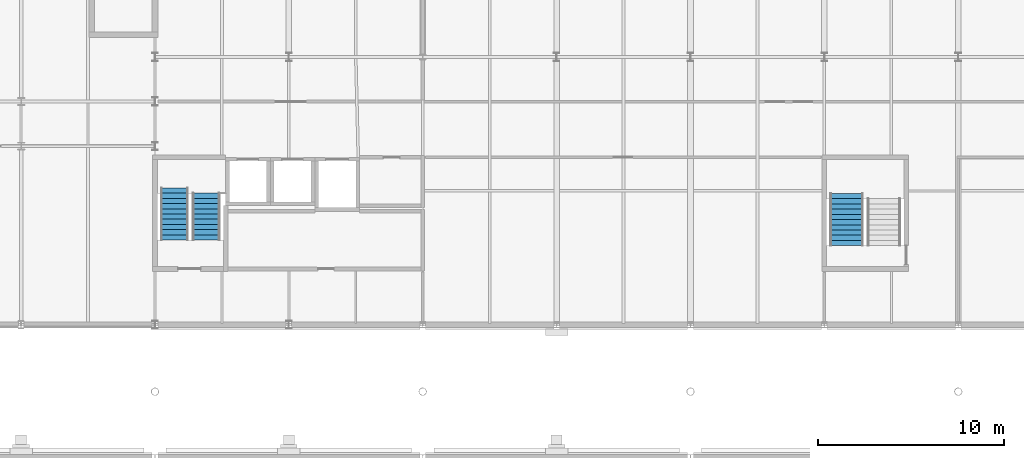
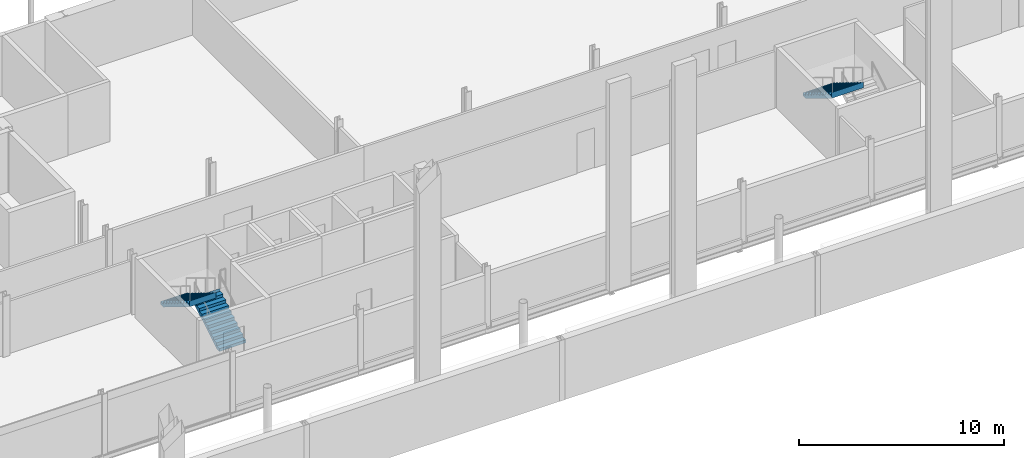
# One storey, part 74 of 90: 3 stair flights, 2 elements without a shape of their own.
"""IFC4 building model written with IfcOpenShell, lengths in metres."""

from ifc_helpers import new_model, si_unit, direction, frame, origin, place, context, subcontext, project, spatial, polyline, outline, extrude, material, type_object, element, aggregate, save


model = new_model("IFC4")

# Units and contexts
model_context = context("Model", 3, precision=1e-05, world=origin(), true_north=direction((0.0, 1.0)))
body_context = subcontext(model_context, "Body", "Model", "MODEL_VIEW")
ifc_project = project(units=[si_unit("LENGTHUNIT", "METRE"), si_unit("AREAUNIT", "SQUARE_METRE"), si_unit("VOLUMEUNIT", "CUBIC_METRE"), si_unit("PLANEANGLEUNIT", "RADIAN"), si_unit("MASSUNIT", "GRAM", prefix="KILO")], contexts=[model_context])

# Site, building, storey
site_placement = place(None, origin())
site = spatial("IfcSite", under=ifc_project, at=site_placement, CompositionType="ELEMENT")
building_placement = place(site_placement, origin())
building = spatial("IfcBuilding", under=site, at=building_placement, Name="Kupolbacken Congress Centre", CompositionType="ELEMENT")
storey_placement = place(building_placement, frame((0.0, 0.0, 3.60009765625)))
storey = spatial("IfcBuildingStorey", under=building, at=storey_placement, Name="L01", CompositionType="ELEMENT", Elevation=3.60009765625)

# Stair, stair flights
ifc_material_1 = material(Name="Steel S355", Category="steel")
stair_type_1 = type_object("IfcStairType", Name="ST2 stair 1500", PredefinedType="TWO_STRAIGHT_RUN_STAIR", material=ifc_material_1)
stair_1_placement = place(storey_placement, origin())
stair_1 = element("IfcStair", 1, at=stair_1_placement, inside=storey, type_object=stair_type_1, Name="C/stair/BS1/L01", PredefinedType="NOTDEFINED")
ifc_material_2 = material(Name="Steel S355", Category="steel")
stair_flight_type_1 = type_object("IfcStairFlightType", Name="FL3 stair flight 1500 x 10 risers", PredefinedType="STRAIGHT", material=ifc_material_2)
stair_flight_1_placement = place(storey_placement, frame((139.550048828125, 126.955078125, 0.0), z_axis=(0.0, 0.0, 1.0), x_axis=(0.0, 1.0, 0.0)))
stair_flight_1 = element("IfcStairFlight", 2, at=stair_flight_1_placement, type_object=stair_flight_type_1, Name="BS1 flight 1", NumberOfRisers=10, NumberOfTreads=9, PredefinedType="STRAIGHT", RiserHeight=0.171428571, TreadLength=0.28, context=body_context, shape_type="SweptSolid", body=[
    extrude(outline(polyline([(0.0, 0.0), (0.0, 0.0009765625), (0.0, 0.002197265625), (0.0, 0.003173828125), (0.0, 0.004150390625), (0.0, 0.00537109375), (0.0, 0.00634765625), (0.0, 0.007568359375), (0.0, 0.008544921875), (0.0, 0.009521484375), (0.0, 0.0107421875), (0.0, 0.01171875), (0.0, 0.0126953125), (0.0, 0.013916015625), (0.0, 0.014892578125), (0.0, 0.015869140625), (0.0, 0.01708984375), (0.0, 0.01806640625), (0.0, 0.019287109375), (0.0, 0.020263671875), (0.0, 0.021240234375), (0.0, 0.0224609375), (0.0, 0.0234375), (0.0, 0.0244140625), (0.0, 0.025634765625), (0.0, 0.026611328125), (0.0, 0.027587890625), (0.0, 0.02880859375), (0.0, 0.02978515625), (0.0, 0.03076171875), (0.0, 0.031982421875), (0.0, 0.032958984375), (0.0, 0.0341796875), (0.0, 0.03515625), (0.0, 0.0361328125), (0.0, 0.037353515625), (0.0, 0.038330078125), (0.0, 0.039306640625), (0.0, 0.04052734375), (0.0, 0.04150390625), (0.0, 0.04248046875), (0.0, 0.043701171875), (0.0, 0.044677734375), (0.0, 0.0458984375), (0.0, 0.046875), (0.0, 0.0478515625), (0.0, 0.049072265625), (0.0, 0.050048828125), (0.0, 0.051025390625), (0.0, 0.05224609375), (0.0, 0.05322265625), (0.0, 0.05419921875), (0.0, 0.055419921875), (0.0, 0.056396484375), (0.0, 0.0576171875), (0.0, 0.05859375), (0.0, 0.0595703125), (0.0, 0.060791015625), (0.0, 0.061767578125), (0.0, 0.062744140625), (0.0, 0.06396484375), (0.0, 0.06494140625), (0.0, 0.06591796875), (0.0, 0.067138671875), (0.0, 0.068115234375), (0.0, 0.069091796875), (0.0, 0.0703125), (0.0, 0.0712890625), (0.0, 0.072509765625), (0.0, 0.073486328125), (0.0, 0.074462890625), (0.0, 0.07568359375), (0.0, 0.07666015625), (0.0, 0.07763671875), (0.0, 0.078857421875), (0.0, 0.079833984375), (0.0, 0.080810546875), (0.0, 0.08203125), (0.0, 0.0830078125), (0.0, 0.084228515625), (0.0, 0.085205078125), (0.0, 0.086181640625), (0.0, 0.08740234375), (0.0, 0.08837890625), (0.0, 0.08935546875), (0.0, 0.090576171875), (0.0, 0.091552734375), (0.0, 0.092529296875), (0.0, 0.09375), (0.0, 0.0947265625), (0.0, 0.095947265625), (0.0, 0.096923828125), (0.0, 0.097900390625), (0.0, 0.09912109375), (0.0, 0.10009765625), (0.0, 0.10107421875), (0.0, 0.102294921875), (0.0, 0.103271484375), (0.0, 0.104248046875), (0.0, 0.10546875), (0.0, 0.1064453125), (0.0, 0.107421875), (0.0, 0.108642578125), (0.0, 0.109619140625), (0.0, 0.11083984375), (0.0, 0.11181640625), (0.0, 0.11279296875), (0.0, 0.114013671875), (0.0, 0.114990234375), (0.0, 0.115966796875), (0.0, 0.1171875), (0.0, 0.1181640625), (0.0, 0.119140625), (0.0, 0.120361328125), (0.0, 0.121337890625), (0.0, 0.12255859375), (0.0, 0.12353515625), (0.0, 0.12451171875), (0.0, 0.125732421875), (0.0, 0.126708984375), (0.0, 0.127685546875), (0.0, 0.12890625), (0.0, 0.1298828125), (0.0, 0.130859375), (0.0, 0.132080078125), (0.0, 0.133056640625), (0.0, 0.13427734375), (0.0, 0.13525390625), (0.0, 0.13623046875), (0.0, 0.137451171875), (0.0, 0.138427734375), (0.0, 0.139404296875), (0.0, 0.140625), (0.0, 0.1416015625), (0.0, 0.142578125), (0.0, 0.143798828125), (0.0, 0.144775390625), (0.0, 0.145751953125), (0.0, 0.14697265625), (0.0, 0.14794921875), (0.0, 0.149169921875), (0.0, 0.150146484375), (0.0, 0.151123046875), (0.0, 0.15234375), (0.0, 0.1533203125), (0.0, 0.154296875), (0.0, 0.155517578125), (0.0, 0.156494140625), (0.0, 0.157470703125), (0.0, 0.15869140625), (0.0, 0.15966796875), (0.0, 0.160888671875), (0.0, 0.161865234375), (0.0, 0.162841796875), (0.0, 0.1640625), (0.0, 0.1650390625), (0.0, 0.166015625), (0.0, 0.167236328125), (0.0, 0.168212890625), (0.0, 0.169189453125), (0.0, 0.17041015625), (0.0, 0.17138671875), (0.280029296875, 0.17138671875), (0.280029296875, 0.3427734375), (0.56005859375, 0.3427734375), (0.56005859375, 0.514404296875), (0.840087890625, 0.514404296875), (0.840087890625, 0.685791015625), (1.1201171875, 0.685791015625), (1.1201171875, 0.857177734375), (1.39990234375, 0.857177734375), (1.39990234375, 1.028564453125), (1.679931640625, 1.028564453125), (1.679931640625, 1.199951171875), (1.9599609375, 1.199951171875), (1.9599609375, 1.371337890625), (2.239990234375, 1.371337890625), (2.239990234375, 1.54296875), (2.52001953125, 1.54296875), (2.52001953125, 1.71435546875), (2.52197265625, 1.71435546875), (2.52197265625, 1.712158203125), (2.52197265625, 1.7099609375), (2.52197265625, 1.707763671875), (2.52197265625, 1.70556640625), (2.52197265625, 1.70361328125), (2.52197265625, 1.701416015625), (2.52197265625, 1.69921875), (2.52197265625, 1.697021484375), (2.52197265625, 1.69482421875), (2.52197265625, 1.692626953125), (2.52197265625, 1.690673828125), (2.52197265625, 1.6884765625), (2.52197265625, 1.686279296875), (2.52197265625, 1.68408203125), (2.52197265625, 1.681884765625), (2.52197265625, 1.6796875), (2.52197265625, 1.677734375), (2.52197265625, 1.675537109375), (2.52197265625, 1.67333984375), (2.52197265625, 1.671142578125), (2.52197265625, 1.6689453125), (2.52197265625, 1.666748046875), (2.52197265625, 1.664794921875), (2.52197265625, 1.66259765625), (2.52197265625, 1.660400390625), (2.52197265625, 1.658203125), (2.52197265625, 1.656005859375), (2.52197265625, 1.65380859375), (2.52197265625, 1.65185546875), (2.52197265625, 1.649658203125), (2.52197265625, 1.6474609375), (2.52197265625, 1.645263671875), (2.52197265625, 1.64306640625), (2.52197265625, 1.640869140625), (2.52197265625, 1.638916015625), (2.52197265625, 1.63671875), (2.52197265625, 1.634521484375), (2.52197265625, 1.63232421875), (2.52197265625, 1.630126953125), (2.52197265625, 1.6279296875), (2.52197265625, 1.6259765625), (2.52197265625, 1.623779296875), (2.52197265625, 1.62158203125), (2.52197265625, 1.619384765625), (2.52197265625, 1.6171875), (2.52197265625, 1.614990234375), (2.52197265625, 1.613037109375), (2.52197265625, 1.61083984375), (2.52197265625, 1.608642578125), (2.52197265625, 1.6064453125), (2.52197265625, 1.604248046875), (2.52197265625, 1.60205078125), (2.52197265625, 1.60009765625), (2.52197265625, 1.597900390625), (2.52197265625, 1.595703125), (2.52197265625, 1.593505859375), (2.52197265625, 1.59130859375), (2.52197265625, 1.589111328125), (2.52197265625, 1.587158203125), (2.52197265625, 1.5849609375), (2.52197265625, 1.582763671875), (2.52197265625, 1.58056640625), (2.52197265625, 1.578369140625), (2.52197265625, 1.576171875), (2.52197265625, 1.57421875), (2.52197265625, 1.572021484375), (2.52197265625, 1.56982421875), (2.52197265625, 1.567626953125), (2.52197265625, 1.5654296875), (2.52197265625, 1.563232421875), (2.52197265625, 1.561279296875), (2.52197265625, 1.55908203125), (2.52197265625, 1.556884765625), (2.52197265625, 1.5546875), (2.52197265625, 1.552490234375), (2.52197265625, 1.55029296875), (2.52197265625, 1.54833984375), (2.52197265625, 1.546142578125), (2.52197265625, 1.5439453125), (2.52197265625, 1.541748046875), (2.52197265625, 1.53955078125), (2.52197265625, 1.537353515625), (2.52197265625, 1.535400390625), (2.52197265625, 1.533203125), (2.52197265625, 1.531005859375), (2.52197265625, 1.52880859375), (2.52197265625, 1.526611328125), (2.52197265625, 1.5244140625), (2.52197265625, 1.5224609375), (2.52197265625, 1.520263671875), (2.52197265625, 1.51806640625), (2.52197265625, 1.515869140625), (2.52197265625, 1.513671875), (2.52197265625, 1.511474609375), (2.52197265625, 1.509521484375), (2.52197265625, 1.50732421875), (2.52197265625, 1.505126953125), (2.52197265625, 1.5029296875), (2.52197265625, 1.500732421875), (2.52197265625, 1.49853515625), (2.52197265625, 1.49658203125), (2.52197265625, 1.494384765625), (2.52197265625, 1.4921875), (2.52197265625, 1.489990234375), (2.52197265625, 1.48779296875), (2.52197265625, 1.485595703125), (2.52197265625, 1.483642578125), (2.52197265625, 1.4814453125), (2.52197265625, 1.479248046875), (2.52197265625, 1.47705078125), (2.52197265625, 1.474853515625), (2.52197265625, 1.47265625), (2.52197265625, 1.470703125), (2.52197265625, 1.468505859375), (2.52197265625, 1.46630859375), (2.52197265625, 1.464111328125), (2.52197265625, 1.4619140625), (2.52197265625, 1.459716796875), (2.52197265625, 1.457763671875), (2.52197265625, 1.45556640625), (2.52197265625, 1.453369140625), (2.52197265625, 1.451171875), (2.52197265625, 1.448974609375), (2.52197265625, 1.44677734375), (2.52197265625, 1.44482421875), (2.52197265625, 1.442626953125), (2.52197265625, 1.4404296875), (2.52197265625, 1.438232421875), (2.52197265625, 1.43603515625), (2.52197265625, 1.433837890625), (2.52197265625, 1.431884765625), (2.52197265625, 1.4296875), (2.52197265625, 1.427490234375), (2.52197265625, 1.42529296875), (2.52197265625, 1.423095703125), (2.52197265625, 1.4208984375), (2.52197265625, 1.4189453125), (2.52197265625, 1.416748046875), (2.52197265625, 1.41455078125), (2.52197265625, 1.412353515625), (2.52197265625, 1.41015625), (2.52197265625, 1.407958984375), (2.52197265625, 1.406005859375), (2.52197265625, 1.40380859375), (2.52197265625, 1.401611328125), (2.52197265625, 1.3994140625), (2.52197265625, 1.397216796875), (2.52197265625, 1.39501953125), (2.52197265625, 1.39306640625), (2.52197265625, 1.390869140625), (2.52197265625, 1.388671875), (2.52197265625, 1.386474609375), (2.52197265625, 1.38427734375), (2.52197265625, 1.382080078125), (2.52197265625, 1.380126953125), (2.52197265625, 1.3779296875), (2.52197265625, 1.375732421875), (2.52197265625, 1.37353515625), (2.52197265625, 1.371337890625), (2.52197265625, 1.369140625), (2.52197265625, 1.3671875), (0.2890625, 0.0), (0.0, 0.0)])), frame((0.0, 0.75, 0.0), z_axis=(0.0, -1.0, 0.0), x_axis=(1.0, 0.0, 0.0)), (0.0, 0.0, 1.0), 1.5),
])
ifc_material_3 = material(Name="Steel S355", Category="steel")
stair_flight_type_2 = type_object("IfcStairFlightType", Name="FL4 stair flight 1500 x 11 risers", PredefinedType="STRAIGHT", material=ifc_material_3)
stair_flight_2_placement = place(storey_placement, frame((137.85009765625, 129.7548828125, 1.714111328125), z_axis=(0.0, 0.0, 1.0), x_axis=(0.0, -1.0, 0.0)))
stair_flight_2 = element("IfcStairFlight", 3, at=stair_flight_2_placement, type_object=stair_flight_type_2, Name="BS1 flight 2", NumberOfRisers=11, NumberOfTreads=10, PredefinedType="STRAIGHT", RiserHeight=0.171428571, TreadLength=0.28, context=body_context, shape_type="SweptSolid", body=[
    extrude(outline(polyline([(0.0, 0.0), (0.0, 0.0009765625), (0.0, 0.002197265625), (0.0, 0.003173828125), (0.0, 0.004150390625), (0.0, 0.00537109375), (0.0, 0.00634765625), (0.0, 0.007568359375), (0.0, 0.008544921875), (0.0, 0.009521484375), (0.0, 0.0107421875), (0.0, 0.01171875), (0.0, 0.0126953125), (0.0, 0.013916015625), (0.0, 0.014892578125), (0.0, 0.015869140625), (0.0, 0.01708984375), (0.0, 0.01806640625), (0.0, 0.019287109375), (0.0, 0.020263671875), (0.0, 0.021240234375), (0.0, 0.0224609375), (0.0, 0.0234375), (0.0, 0.0244140625), (0.0, 0.025634765625), (0.0, 0.026611328125), (0.0, 0.027587890625), (0.0, 0.02880859375), (0.0, 0.02978515625), (0.0, 0.03076171875), (0.0, 0.031982421875), (0.0, 0.032958984375), (0.0, 0.0341796875), (0.0, 0.03515625), (0.0, 0.0361328125), (0.0, 0.037353515625), (0.0, 0.038330078125), (0.0, 0.039306640625), (0.0, 0.04052734375), (0.0, 0.04150390625), (0.0, 0.04248046875), (0.0, 0.043701171875), (0.0, 0.044677734375), (0.0, 0.0458984375), (0.0, 0.046875), (0.0, 0.0478515625), (0.0, 0.049072265625), (0.0, 0.050048828125), (0.0, 0.051025390625), (0.0, 0.05224609375), (0.0, 0.05322265625), (0.0, 0.05419921875), (0.0, 0.055419921875), (0.0, 0.056396484375), (0.0, 0.0576171875), (0.0, 0.05859375), (0.0, 0.0595703125), (0.0, 0.060791015625), (0.0, 0.061767578125), (0.0, 0.062744140625), (0.0, 0.06396484375), (0.0, 0.06494140625), (0.0, 0.06591796875), (0.0, 0.067138671875), (0.0, 0.068115234375), (0.0, 0.069091796875), (0.0, 0.0703125), (0.0, 0.0712890625), (0.0, 0.072509765625), (0.0, 0.073486328125), (0.0, 0.074462890625), (0.0, 0.07568359375), (0.0, 0.07666015625), (0.0, 0.07763671875), (0.0, 0.078857421875), (0.0, 0.079833984375), (0.0, 0.080810546875), (0.0, 0.08203125), (0.0, 0.0830078125), (0.0, 0.084228515625), (0.0, 0.085205078125), (0.0, 0.086181640625), (0.0, 0.08740234375), (0.0, 0.08837890625), (0.0, 0.08935546875), (0.0, 0.090576171875), (0.0, 0.091552734375), (0.0, 0.092529296875), (0.0, 0.09375), (0.0, 0.0947265625), (0.0, 0.095947265625), (0.0, 0.096923828125), (0.0, 0.097900390625), (0.0, 0.09912109375), (0.0, 0.10009765625), (0.0, 0.10107421875), (0.0, 0.102294921875), (0.0, 0.103271484375), (0.0, 0.104248046875), (0.0, 0.10546875), (0.0, 0.1064453125), (0.0, 0.107421875), (0.0, 0.108642578125), (0.0, 0.109619140625), (0.0, 0.11083984375), (0.0, 0.11181640625), (0.0, 0.11279296875), (0.0, 0.114013671875), (0.0, 0.114990234375), (0.0, 0.115966796875), (0.0, 0.1171875), (0.0, 0.1181640625), (0.0, 0.119140625), (0.0, 0.120361328125), (0.0, 0.121337890625), (0.0, 0.12255859375), (0.0, 0.12353515625), (0.0, 0.12451171875), (0.0, 0.125732421875), (0.0, 0.126708984375), (0.0, 0.127685546875), (0.0, 0.12890625), (0.0, 0.1298828125), (0.0, 0.130859375), (0.0, 0.132080078125), (0.0, 0.133056640625), (0.0, 0.13427734375), (0.0, 0.13525390625), (0.0, 0.13623046875), (0.0, 0.137451171875), (0.0, 0.138427734375), (0.0, 0.139404296875), (0.0, 0.140625), (0.0, 0.1416015625), (0.0, 0.142578125), (0.0, 0.143798828125), (0.0, 0.144775390625), (0.0, 0.145751953125), (0.0, 0.14697265625), (0.0, 0.14794921875), (0.0, 0.149169921875), (0.0, 0.150146484375), (0.0, 0.151123046875), (0.0, 0.15234375), (0.0, 0.1533203125), (0.0, 0.154296875), (0.0, 0.155517578125), (0.0, 0.156494140625), (0.0, 0.157470703125), (0.0, 0.15869140625), (0.0, 0.15966796875), (0.0, 0.160888671875), (0.0, 0.161865234375), (0.0, 0.162841796875), (0.0, 0.1640625), (0.0, 0.1650390625), (0.0, 0.166015625), (0.0, 0.167236328125), (0.0, 0.168212890625), (0.0, 0.169189453125), (0.0, 0.17041015625), (0.0, 0.17138671875), (0.280029296875, 0.17138671875), (0.280029296875, 0.3427734375), (0.56005859375, 0.3427734375), (0.56005859375, 0.514404296875), (0.840087890625, 0.514404296875), (0.840087890625, 0.685791015625), (1.1201171875, 0.685791015625), (1.1201171875, 0.857177734375), (1.39990234375, 0.857177734375), (1.39990234375, 1.028564453125), (1.679931640625, 1.028564453125), (1.679931640625, 1.199951171875), (1.9599609375, 1.199951171875), (1.9599609375, 1.371337890625), (2.239990234375, 1.371337890625), (2.239990234375, 1.54296875), (2.52001953125, 1.54296875), (2.52001953125, 1.71435546875), (2.800048828125, 1.71435546875), (2.800048828125, 1.8857421875), (2.802001953125, 1.8857421875), (2.802001953125, 1.883544921875), (2.802001953125, 1.88134765625), (2.802001953125, 1.879150390625), (2.802001953125, 1.877197265625), (2.802001953125, 1.875), (2.802001953125, 1.872802734375), (2.802001953125, 1.87060546875), (2.802001953125, 1.868408203125), (2.802001953125, 1.8662109375), (2.802001953125, 1.8642578125), (2.802001953125, 1.862060546875), (2.802001953125, 1.85986328125), (2.802001953125, 1.857666015625), (2.802001953125, 1.85546875), (2.802001953125, 1.853271484375), (2.802001953125, 1.851318359375), (2.802001953125, 1.84912109375), (2.802001953125, 1.846923828125), (2.802001953125, 1.8447265625), (2.802001953125, 1.842529296875), (2.802001953125, 1.84033203125), (2.802001953125, 1.83837890625), (2.802001953125, 1.836181640625), (2.802001953125, 1.833984375), (2.802001953125, 1.831787109375), (2.802001953125, 1.82958984375), (2.802001953125, 1.827392578125), (2.802001953125, 1.825439453125), (2.802001953125, 1.8232421875), (2.802001953125, 1.821044921875), (2.802001953125, 1.81884765625), (2.802001953125, 1.816650390625), (2.802001953125, 1.814453125), (2.802001953125, 1.8125), (2.802001953125, 1.810302734375), (2.802001953125, 1.80810546875), (2.802001953125, 1.805908203125), (2.802001953125, 1.8037109375), (2.802001953125, 1.801513671875), (2.802001953125, 1.799560546875), (2.802001953125, 1.79736328125), (2.802001953125, 1.795166015625), (2.802001953125, 1.79296875), (2.802001953125, 1.790771484375), (2.802001953125, 1.78857421875), (2.802001953125, 1.78662109375), (2.802001953125, 1.784423828125), (2.802001953125, 1.7822265625), (2.802001953125, 1.780029296875), (2.802001953125, 1.77783203125), (2.802001953125, 1.775634765625), (2.802001953125, 1.773681640625), (2.802001953125, 1.771484375), (2.802001953125, 1.769287109375), (2.802001953125, 1.76708984375), (2.802001953125, 1.764892578125), (2.802001953125, 1.7626953125), (2.802001953125, 1.7607421875), (2.802001953125, 1.758544921875), (2.802001953125, 1.75634765625), (2.802001953125, 1.754150390625), (2.802001953125, 1.751953125), (2.802001953125, 1.749755859375), (2.802001953125, 1.747802734375), (2.802001953125, 1.74560546875), (2.802001953125, 1.743408203125), (2.802001953125, 1.7412109375), (2.802001953125, 1.739013671875), (2.802001953125, 1.73681640625), (2.802001953125, 1.73486328125), (2.802001953125, 1.732666015625), (2.802001953125, 1.73046875), (2.802001953125, 1.728271484375), (2.802001953125, 1.72607421875), (2.802001953125, 1.723876953125), (2.802001953125, 1.721923828125), (2.802001953125, 1.7197265625), (2.802001953125, 1.717529296875), (2.802001953125, 1.71533203125), (2.802001953125, 1.713134765625), (2.802001953125, 1.7109375), (2.802001953125, 1.708984375), (2.802001953125, 1.706787109375), (2.802001953125, 1.70458984375), (2.802001953125, 1.702392578125), (2.802001953125, 1.7001953125), (2.802001953125, 1.697998046875), (2.802001953125, 1.696044921875), (2.802001953125, 1.69384765625), (2.802001953125, 1.691650390625), (2.802001953125, 1.689453125), (2.802001953125, 1.687255859375), (2.802001953125, 1.68505859375), (2.802001953125, 1.68310546875), (2.802001953125, 1.680908203125), (2.802001953125, 1.6787109375), (2.802001953125, 1.676513671875), (2.802001953125, 1.67431640625), (2.802001953125, 1.672119140625), (2.802001953125, 1.670166015625), (2.802001953125, 1.66796875), (2.802001953125, 1.665771484375), (2.802001953125, 1.66357421875), (2.802001953125, 1.661376953125), (2.802001953125, 1.6591796875), (2.802001953125, 1.6572265625), (2.802001953125, 1.655029296875), (2.802001953125, 1.65283203125), (2.802001953125, 1.650634765625), (2.802001953125, 1.6484375), (2.802001953125, 1.646240234375), (2.802001953125, 1.644287109375), (2.802001953125, 1.64208984375), (2.802001953125, 1.639892578125), (2.802001953125, 1.6376953125), (2.802001953125, 1.635498046875), (2.802001953125, 1.63330078125), (2.802001953125, 1.63134765625), (2.802001953125, 1.629150390625), (2.802001953125, 1.626953125), (2.802001953125, 1.624755859375), (2.802001953125, 1.62255859375), (2.802001953125, 1.620361328125), (2.802001953125, 1.618408203125), (2.802001953125, 1.6162109375), (2.802001953125, 1.614013671875), (2.802001953125, 1.61181640625), (2.802001953125, 1.609619140625), (2.802001953125, 1.607421875), (2.802001953125, 1.60546875), (2.802001953125, 1.603271484375), (2.802001953125, 1.60107421875), (2.802001953125, 1.598876953125), (2.802001953125, 1.5966796875), (2.802001953125, 1.594482421875), (2.802001953125, 1.592529296875), (2.802001953125, 1.59033203125), (2.802001953125, 1.588134765625), (2.802001953125, 1.5859375), (2.802001953125, 1.583740234375), (2.802001953125, 1.58154296875), (2.802001953125, 1.57958984375), (2.802001953125, 1.577392578125), (2.802001953125, 1.5751953125), (2.802001953125, 1.572998046875), (2.802001953125, 1.57080078125), (2.802001953125, 1.568603515625), (2.802001953125, 1.566650390625), (2.802001953125, 1.564453125), (2.802001953125, 1.562255859375), (2.802001953125, 1.56005859375), (2.802001953125, 1.557861328125), (2.802001953125, 1.5556640625), (2.802001953125, 1.5537109375), (2.802001953125, 1.551513671875), (2.802001953125, 1.54931640625), (2.802001953125, 1.547119140625), (2.802001953125, 1.544921875), (2.802001953125, 1.542724609375), (2.802001953125, 1.540771484375), (2.802001953125, 1.53857421875), (0.2890625, 0.0), (0.0, 0.0)])), frame((0.0, 0.75, 0.0), z_axis=(0.0, -1.0, 0.0), x_axis=(1.0, 0.0, 0.0)), (0.0, 0.0, 1.0), 1.5),
])
aggregate(stair_1, [stair_flight_1, stair_flight_2])

# Stair, stair flight
ifc_material_4 = material(Name="Steel S355", Category="steel")
stair_type_2 = type_object("IfcStairType", Name="ST3 stair 1800", PredefinedType="TWO_STRAIGHT_RUN_STAIR", material=ifc_material_4)
stair_2_placement = place(storey_placement, origin())
stair_2 = element("IfcStair", 4, at=stair_2_placement, inside=storey, type_object=stair_type_2, Name="C/stair/BS4/L01", PredefinedType="NOTDEFINED")
ifc_material_5 = material(Name="Steel S355", Category="steel")
stair_flight_type_3 = type_object("IfcStairFlightType", Name="FL6 stair flight 1800 x 11 risers", PredefinedType="STRAIGHT", material=ifc_material_5)
stair_flight_3_placement = place(storey_placement, frame((174.0, 129.455078125, 1.714111328125), z_axis=(0.0, 0.0, 1.0), x_axis=(0.0, -1.0, 0.0)))
stair_flight_3 = element("IfcStairFlight", 5, at=stair_flight_3_placement, type_object=stair_flight_type_3, Name="BS4 flight 2", NumberOfRisers=11, NumberOfTreads=10, PredefinedType="STRAIGHT", RiserHeight=0.171428571, TreadLength=0.28, context=body_context, shape_type="SweptSolid", body=[
    extrude(outline(polyline([(0.0, 0.0), (0.0, 0.0009765625), (0.0, 0.002197265625), (0.0, 0.003173828125), (0.0, 0.004150390625), (0.0, 0.00537109375), (0.0, 0.00634765625), (0.0, 0.007568359375), (0.0, 0.008544921875), (0.0, 0.009521484375), (0.0, 0.0107421875), (0.0, 0.01171875), (0.0, 0.0126953125), (0.0, 0.013916015625), (0.0, 0.014892578125), (0.0, 0.015869140625), (0.0, 0.01708984375), (0.0, 0.01806640625), (0.0, 0.019287109375), (0.0, 0.020263671875), (0.0, 0.021240234375), (0.0, 0.0224609375), (0.0, 0.0234375), (0.0, 0.0244140625), (0.0, 0.025634765625), (0.0, 0.026611328125), (0.0, 0.027587890625), (0.0, 0.02880859375), (0.0, 0.02978515625), (0.0, 0.03076171875), (0.0, 0.031982421875), (0.0, 0.032958984375), (0.0, 0.0341796875), (0.0, 0.03515625), (0.0, 0.0361328125), (0.0, 0.037353515625), (0.0, 0.038330078125), (0.0, 0.039306640625), (0.0, 0.04052734375), (0.0, 0.04150390625), (0.0, 0.04248046875), (0.0, 0.043701171875), (0.0, 0.044677734375), (0.0, 0.0458984375), (0.0, 0.046875), (0.0, 0.0478515625), (0.0, 0.049072265625), (0.0, 0.050048828125), (0.0, 0.051025390625), (0.0, 0.05224609375), (0.0, 0.05322265625), (0.0, 0.05419921875), (0.0, 0.055419921875), (0.0, 0.056396484375), (0.0, 0.0576171875), (0.0, 0.05859375), (0.0, 0.0595703125), (0.0, 0.060791015625), (0.0, 0.061767578125), (0.0, 0.062744140625), (0.0, 0.06396484375), (0.0, 0.06494140625), (0.0, 0.06591796875), (0.0, 0.067138671875), (0.0, 0.068115234375), (0.0, 0.069091796875), (0.0, 0.0703125), (0.0, 0.0712890625), (0.0, 0.072509765625), (0.0, 0.073486328125), (0.0, 0.074462890625), (0.0, 0.07568359375), (0.0, 0.07666015625), (0.0, 0.07763671875), (0.0, 0.078857421875), (0.0, 0.079833984375), (0.0, 0.080810546875), (0.0, 0.08203125), (0.0, 0.0830078125), (0.0, 0.084228515625), (0.0, 0.085205078125), (0.0, 0.086181640625), (0.0, 0.08740234375), (0.0, 0.08837890625), (0.0, 0.08935546875), (0.0, 0.090576171875), (0.0, 0.091552734375), (0.0, 0.092529296875), (0.0, 0.09375), (0.0, 0.0947265625), (0.0, 0.095947265625), (0.0, 0.096923828125), (0.0, 0.097900390625), (0.0, 0.09912109375), (0.0, 0.10009765625), (0.0, 0.10107421875), (0.0, 0.102294921875), (0.0, 0.103271484375), (0.0, 0.104248046875), (0.0, 0.10546875), (0.0, 0.1064453125), (0.0, 0.107421875), (0.0, 0.108642578125), (0.0, 0.109619140625), (0.0, 0.11083984375), (0.0, 0.11181640625), (0.0, 0.11279296875), (0.0, 0.114013671875), (0.0, 0.114990234375), (0.0, 0.115966796875), (0.0, 0.1171875), (0.0, 0.1181640625), (0.0, 0.119140625), (0.0, 0.120361328125), (0.0, 0.121337890625), (0.0, 0.12255859375), (0.0, 0.12353515625), (0.0, 0.12451171875), (0.0, 0.125732421875), (0.0, 0.126708984375), (0.0, 0.127685546875), (0.0, 0.12890625), (0.0, 0.1298828125), (0.0, 0.130859375), (0.0, 0.132080078125), (0.0, 0.133056640625), (0.0, 0.13427734375), (0.0, 0.13525390625), (0.0, 0.13623046875), (0.0, 0.137451171875), (0.0, 0.138427734375), (0.0, 0.139404296875), (0.0, 0.140625), (0.0, 0.1416015625), (0.0, 0.142578125), (0.0, 0.143798828125), (0.0, 0.144775390625), (0.0, 0.145751953125), (0.0, 0.14697265625), (0.0, 0.14794921875), (0.0, 0.149169921875), (0.0, 0.150146484375), (0.0, 0.151123046875), (0.0, 0.15234375), (0.0, 0.1533203125), (0.0, 0.154296875), (0.0, 0.155517578125), (0.0, 0.156494140625), (0.0, 0.157470703125), (0.0, 0.15869140625), (0.0, 0.15966796875), (0.0, 0.160888671875), (0.0, 0.161865234375), (0.0, 0.162841796875), (0.0, 0.1640625), (0.0, 0.1650390625), (0.0, 0.166015625), (0.0, 0.167236328125), (0.0, 0.168212890625), (0.0, 0.169189453125), (0.0, 0.17041015625), (0.0, 0.17138671875), (0.280029296875, 0.17138671875), (0.280029296875, 0.3427734375), (0.56005859375, 0.3427734375), (0.56005859375, 0.514404296875), (0.840087890625, 0.514404296875), (0.840087890625, 0.685791015625), (1.1201171875, 0.685791015625), (1.1201171875, 0.857177734375), (1.39990234375, 0.857177734375), (1.39990234375, 1.028564453125), (1.679931640625, 1.028564453125), (1.679931640625, 1.199951171875), (1.9599609375, 1.199951171875), (1.9599609375, 1.371337890625), (2.239990234375, 1.371337890625), (2.239990234375, 1.54296875), (2.52001953125, 1.54296875), (2.52001953125, 1.71435546875), (2.800048828125, 1.71435546875), (2.800048828125, 1.8857421875), (2.802001953125, 1.8857421875), (2.802001953125, 1.883544921875), (2.802001953125, 1.88134765625), (2.802001953125, 1.879150390625), (2.802001953125, 1.877197265625), (2.802001953125, 1.875), (2.802001953125, 1.872802734375), (2.802001953125, 1.87060546875), (2.802001953125, 1.868408203125), (2.802001953125, 1.8662109375), (2.802001953125, 1.8642578125), (2.802001953125, 1.862060546875), (2.802001953125, 1.85986328125), (2.802001953125, 1.857666015625), (2.802001953125, 1.85546875), (2.802001953125, 1.853271484375), (2.802001953125, 1.851318359375), (2.802001953125, 1.84912109375), (2.802001953125, 1.846923828125), (2.802001953125, 1.8447265625), (2.802001953125, 1.842529296875), (2.802001953125, 1.84033203125), (2.802001953125, 1.83837890625), (2.802001953125, 1.836181640625), (2.802001953125, 1.833984375), (2.802001953125, 1.831787109375), (2.802001953125, 1.82958984375), (2.802001953125, 1.827392578125), (2.802001953125, 1.825439453125), (2.802001953125, 1.8232421875), (2.802001953125, 1.821044921875), (2.802001953125, 1.81884765625), (2.802001953125, 1.816650390625), (2.802001953125, 1.814453125), (2.802001953125, 1.8125), (2.802001953125, 1.810302734375), (2.802001953125, 1.80810546875), (2.802001953125, 1.805908203125), (2.802001953125, 1.8037109375), (2.802001953125, 1.801513671875), (2.802001953125, 1.799560546875), (2.802001953125, 1.79736328125), (2.802001953125, 1.795166015625), (2.802001953125, 1.79296875), (2.802001953125, 1.790771484375), (2.802001953125, 1.78857421875), (2.802001953125, 1.78662109375), (2.802001953125, 1.784423828125), (2.802001953125, 1.7822265625), (2.802001953125, 1.780029296875), (2.802001953125, 1.77783203125), (2.802001953125, 1.775634765625), (2.802001953125, 1.773681640625), (2.802001953125, 1.771484375), (2.802001953125, 1.769287109375), (2.802001953125, 1.76708984375), (2.802001953125, 1.764892578125), (2.802001953125, 1.7626953125), (2.802001953125, 1.7607421875), (2.802001953125, 1.758544921875), (2.802001953125, 1.75634765625), (2.802001953125, 1.754150390625), (2.802001953125, 1.751953125), (2.802001953125, 1.749755859375), (2.802001953125, 1.747802734375), (2.802001953125, 1.74560546875), (2.802001953125, 1.743408203125), (2.802001953125, 1.7412109375), (2.802001953125, 1.739013671875), (2.802001953125, 1.73681640625), (2.802001953125, 1.73486328125), (2.802001953125, 1.732666015625), (2.802001953125, 1.73046875), (2.802001953125, 1.728271484375), (2.802001953125, 1.72607421875), (2.802001953125, 1.723876953125), (2.802001953125, 1.721923828125), (2.802001953125, 1.7197265625), (2.802001953125, 1.717529296875), (2.802001953125, 1.71533203125), (2.802001953125, 1.713134765625), (2.802001953125, 1.7109375), (2.802001953125, 1.708984375), (2.802001953125, 1.706787109375), (2.802001953125, 1.70458984375), (2.802001953125, 1.702392578125), (2.802001953125, 1.7001953125), (2.802001953125, 1.697998046875), (2.802001953125, 1.696044921875), (2.802001953125, 1.69384765625), (2.802001953125, 1.691650390625), (2.802001953125, 1.689453125), (2.802001953125, 1.687255859375), (2.802001953125, 1.68505859375), (2.802001953125, 1.68310546875), (2.802001953125, 1.680908203125), (2.802001953125, 1.6787109375), (2.802001953125, 1.676513671875), (2.802001953125, 1.67431640625), (2.802001953125, 1.672119140625), (2.802001953125, 1.670166015625), (2.802001953125, 1.66796875), (2.802001953125, 1.665771484375), (2.802001953125, 1.66357421875), (2.802001953125, 1.661376953125), (2.802001953125, 1.6591796875), (2.802001953125, 1.6572265625), (2.802001953125, 1.655029296875), (2.802001953125, 1.65283203125), (2.802001953125, 1.650634765625), (2.802001953125, 1.6484375), (2.802001953125, 1.646240234375), (2.802001953125, 1.644287109375), (2.802001953125, 1.64208984375), (2.802001953125, 1.639892578125), (2.802001953125, 1.6376953125), (2.802001953125, 1.635498046875), (2.802001953125, 1.63330078125), (2.802001953125, 1.63134765625), (2.802001953125, 1.629150390625), (2.802001953125, 1.626953125), (2.802001953125, 1.624755859375), (2.802001953125, 1.62255859375), (2.802001953125, 1.620361328125), (2.802001953125, 1.618408203125), (2.802001953125, 1.6162109375), (2.802001953125, 1.614013671875), (2.802001953125, 1.61181640625), (2.802001953125, 1.609619140625), (2.802001953125, 1.607421875), (2.802001953125, 1.60546875), (2.802001953125, 1.603271484375), (2.802001953125, 1.60107421875), (2.802001953125, 1.598876953125), (2.802001953125, 1.5966796875), (2.802001953125, 1.594482421875), (2.802001953125, 1.592529296875), (2.802001953125, 1.59033203125), (2.802001953125, 1.588134765625), (2.802001953125, 1.5859375), (2.802001953125, 1.583740234375), (2.802001953125, 1.58154296875), (2.802001953125, 1.57958984375), (2.802001953125, 1.577392578125), (2.802001953125, 1.5751953125), (2.802001953125, 1.572998046875), (2.802001953125, 1.57080078125), (2.802001953125, 1.568603515625), (2.802001953125, 1.566650390625), (2.802001953125, 1.564453125), (2.802001953125, 1.562255859375), (2.802001953125, 1.56005859375), (2.802001953125, 1.557861328125), (2.802001953125, 1.5556640625), (2.802001953125, 1.5537109375), (2.802001953125, 1.551513671875), (2.802001953125, 1.54931640625), (2.802001953125, 1.547119140625), (2.802001953125, 1.544921875), (2.802001953125, 1.542724609375), (2.802001953125, 1.540771484375), (2.802001953125, 1.53857421875), (0.2890625, 0.0), (0.0, 0.0)])), frame((0.0, 0.89990234375, 0.0), z_axis=(0.0, -1.0, 0.0), x_axis=(1.0, 0.0, 0.0)), (0.0, 0.0, 1.0), 1.800048828125),
])
aggregate(stair_2, [stair_flight_3])

save(model, "model.ifc")
